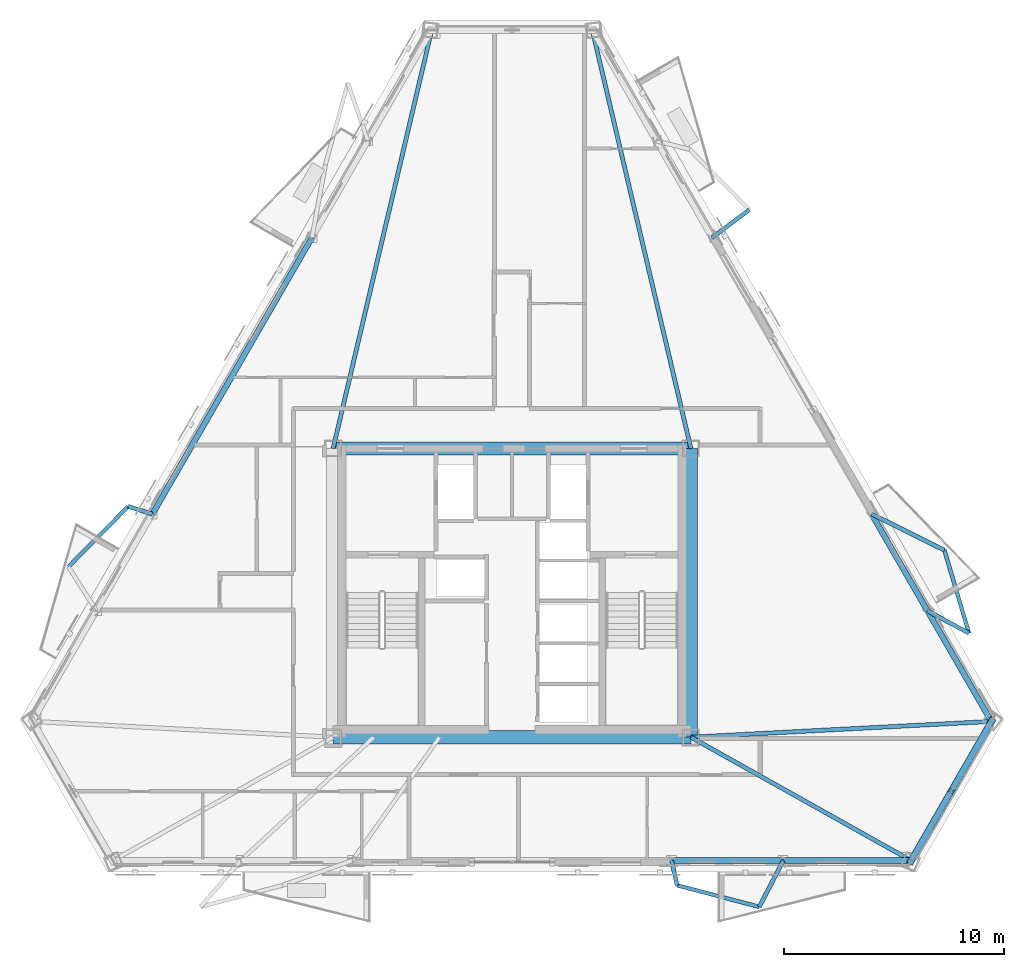
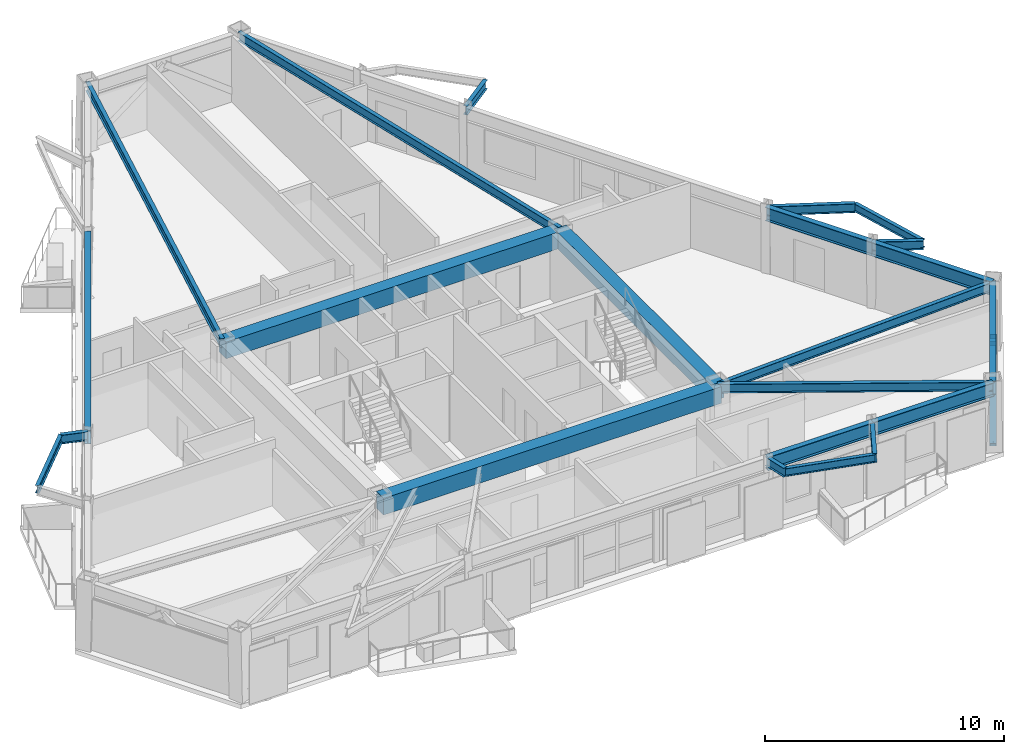
# One storey, part 3 of 13: 22 beams, 2 members.
"""IFC4 building model written with IfcOpenShell, lengths in metres."""

import ifcopenshell
import ifcopenshell.guid

model = None  # the IFC model being written
_history = None  # IfcOwnerHistory: only IFC2X3 demands one
_inside = {}  # id of a spatial element -> (the spatial element, [elements in it])
_under = {}  # id of a project, library or spatial element -> (it, [spatial elements below it])
_declared = {}  # id of a project -> (the project, [libraries it declares])
_typed = {}  # id of a type object -> (the type object, [elements of that type])
_made_of = {}  # id of a material, layer set ... -> (it, [elements and type objects made of it])


def new_model(schema):
    """Start an empty IFC model of exactly this schema.

    Asked for "IFC4X3", IfcOpenShell would pick the latest addendum, in which some entities
    have other attributes; the version numbers below select the first issue.
    IFC2X3 requires an IfcOwnerHistory on every rooted entity: one is made here for all.
    """
    global model, _history
    if schema == "IFC4X3":
        model = ifcopenshell.file(schema_version=(4, 3, 0, 0))
    else:
        model = ifcopenshell.file(schema=schema)
    _inside.clear()
    _under.clear()
    _declared.clear()
    _typed.clear()
    _made_of.clear()
    _history = None
    if model.schema == "IFC2X3":
        org = make("IfcOrganization", Name="unknown")
        user = make(
            "IfcPersonAndOrganization",
            ThePerson=make("IfcPerson", FamilyName="unknown"),
            TheOrganization=org,
        )
        app = make(
            "IfcApplication",
            ApplicationDeveloper=org,
            Version="unknown",
            ApplicationFullName="unknown",
            ApplicationIdentifier="unknown",
        )
        _history = make(
            "IfcOwnerHistory",
            OwningUser=user,
            OwningApplication=app,
            ChangeAction="ADDED",
            CreationDate=0,
        )
    return model


def make(cls, **values):
    """One entity of the class cls with the attributes given. An attribute that is None is left unset."""
    return model.create_entity(
        cls, **{name: value for name, value in values.items() if value is not None}
    )


def rooted(cls, **values):
    """An entity with a GlobalId (a new one), such as an element, a storey or a relation."""
    return make(cls, GlobalId=ifcopenshell.guid.new(), OwnerHistory=_history, **values)


def si_unit(unit_type, name, prefix=None):
    """IfcSIUnit, for example si_unit("LENGTHUNIT", "METRE", prefix="MILLI")."""
    return make("IfcSIUnit", UnitType=unit_type, Prefix=prefix, Name=name)


def assignment(units):
    """IfcUnitAssignment: the units of a project."""
    return None if units is None else make("IfcUnitAssignment", Units=units)


def point(xyz):
    """IfcCartesianPoint."""
    return None if xyz is None else make("IfcCartesianPoint", Coordinates=xyz)


def direction(xyz):
    """IfcDirection."""
    return None if xyz is None else make("IfcDirection", DirectionRatios=xyz)


def frame(location, z_axis=None, x_axis=None):
    """IfcAxis2Placement3D, a coordinate frame: its origin and axes. An axis left out is left unset."""
    return make(
        "IfcAxis2Placement3D",
        Location=point(location),
        Axis=direction(z_axis),
        RefDirection=direction(x_axis),
    )


def frame_2d(location, x_axis=None):
    """IfcAxis2Placement2D, a coordinate frame in the plane: its origin and x axis."""
    return make(
        "IfcAxis2Placement2D", Location=point(location), RefDirection=direction(x_axis)
    )


def origin():
    """The frame at (0, 0, 0) with its axes left unset."""
    return frame((0.0, 0.0, 0.0))


def origin_2d():
    """The frame at (0, 0) in the plane with its x axis left unset."""
    return frame_2d((0.0, 0.0))


def place(relative_to, where):
    """IfcLocalPlacement: puts the frame where relative to a parent placement (None: the world)."""
    return make(
        "IfcLocalPlacement", PlacementRelTo=relative_to, RelativePlacement=where
    )


def context(
    kind, dimensions, precision=None, world=None, true_north=None, identifier=None
):
    """IfcGeometricRepresentationContext, for example the 3D "Model" context."""
    return make(
        "IfcGeometricRepresentationContext",
        ContextIdentifier=identifier,
        ContextType=kind,
        CoordinateSpaceDimension=dimensions,
        Precision=precision,
        WorldCoordinateSystem=world,
        TrueNorth=true_north,
    )


def subcontext(parent, identifier, kind, view, scale=None):
    """IfcGeometricRepresentationSubContext, for example "Body" below "Model"."""
    return make(
        "IfcGeometricRepresentationSubContext",
        ContextIdentifier=identifier,
        ContextType=kind,
        ParentContext=parent,
        TargetScale=scale,
        TargetView=view,
    )


def project(units=None, contexts=None):
    """IfcProject with its units and contexts."""
    return rooted(
        "IfcProject",
        Name="project",
        RepresentationContexts=contexts,
        UnitsInContext=assignment(units),
    )


def spatial(cls, under=None, at=None, **own):
    """A site, building, storey or space (cls), placed at a placement, below another one or the project."""
    s = rooted(cls, ObjectPlacement=at, **own)
    if under is not None:
        _under.setdefault(under.id(), (under, []))[1].append(s)
    return s


def profile(cls, at=None, kind="AREA", **sizes):
    """A parametric profile (cls). Its sizes go by their IFC names, for example OverallWidth=200.0."""
    return make(cls, ProfileType=kind, Position=at, **sizes)


def rectangle(**sizes):
    """IfcRectangleProfileDef."""
    return profile("IfcRectangleProfileDef", **sizes)


def hollow_rectangle(**sizes):
    """IfcRectangleHollowProfileDef."""
    return profile("IfcRectangleHollowProfileDef", **sizes)


def i_section(**sizes):
    """IfcIShapeProfileDef."""
    return profile("IfcIShapeProfileDef", **sizes)


def extrude(swept, where, along, depth):
    """IfcExtrudedAreaSolid: the profile swept, set in the frame where, extruded along a direction by depth."""
    return make(
        "IfcExtrudedAreaSolid",
        SweptArea=swept,
        Position=where,
        ExtrudedDirection=direction(along),
        Depth=depth,
    )


def shape(context_of_items, identifier, shape_type, items):
    """IfcShapeRepresentation: the items that make up one representation, for example the "Body"."""
    return make(
        "IfcShapeRepresentation",
        ContextOfItems=context_of_items,
        RepresentationIdentifier=identifier,
        RepresentationType=shape_type,
        Items=items,
    )


def material(Name=None, Category=None):
    """IfcMaterial."""
    return make("IfcMaterial", Name=Name, Category=Category)


def material_profile(
    of_material, cross_section, Name=None, Category=None, Priority=None
):
    """IfcMaterialProfile: a cross section and its material."""
    return make(
        "IfcMaterialProfile",
        Name=Name,
        Material=of_material,
        Profile=cross_section,
        Priority=Priority,
        Category=Category,
    )


def profile_set(profiles, Name=None, composite=None):
    """IfcMaterialProfileSet."""
    return make(
        "IfcMaterialProfileSet",
        Name=Name,
        MaterialProfiles=profiles,
        CompositeProfile=composite,
    )


def made_of(thing, what):
    """Note that an element or type object is made of a material, layer set ...; save() writes the relation."""
    if what is not None:
        _made_of.setdefault(what.id(), (what, []))[1].append(thing)
    return thing


def type_object(cls, material=None, **own):
    """A type object (cls), such as IfcWallType, which elements share."""
    return made_of(rooted(cls, **own), material)


def element(
    cls,
    number,
    at=None,
    inside=None,
    cuts=None,
    type_object=None,
    material=None,
    context=None,
    identifier="Body",
    shape_type=None,
    held_by="IfcProductDefinitionShape",
    body=None,
    shapes=None,
    **own,
):
    """One element of the class cls, such as IfcWall. Its Tag is "e" and its number.

    at: its placement. inside: the storey or other place that contains it. cuts: it is an
    opening in that element (IfcRelVoidsElement). A single representation is given by context,
    identifier, shape_type and body (its items); several are given by shapes. held_by: the class
    of the entity that holds the representations. save() writes the other relations.
    """
    e = rooted(cls, Tag="e%d" % number, ObjectPlacement=at, **own)
    if body is not None:
        shapes = [shape(context, identifier, shape_type, body)]
    if shapes is not None:
        e.Representation = make(held_by, Representations=shapes)
    if inside is not None:
        _inside.setdefault(inside.id(), (inside, []))[1].append(e)
    if cuts is not None:
        rooted(
            "IfcRelVoidsElement", RelatingBuildingElement=cuts, RelatedOpeningElement=e
        )
    if type_object is not None:
        _typed.setdefault(type_object.id(), (type_object, []))[1].append(e)
    return made_of(e, material)


def aggregate(whole, parts):
    """IfcRelAggregates: a whole, such as a stair, and the parts it consists of."""
    return rooted("IfcRelAggregates", RelatingObject=whole, RelatedObjects=parts)


def save(model, path):
    """Write the relations noted so far, then the file.

    IfcRelAggregates (storeys below a building ...), IfcRelContainedInSpatialStructure (elements
    in a storey), IfcRelDefinesByType, IfcRelAssociatesMaterial and IfcRelDeclares: one each for
    every whole, place, type object, material and project.
    """
    for whole, parts in _under.values():
        aggregate(whole, parts)
    for where, things in _inside.values():
        rooted(
            "IfcRelContainedInSpatialStructure",
            RelatedElements=things,
            RelatingStructure=where,
        )
    for kind, things in _typed.values():
        rooted("IfcRelDefinesByType", RelatedObjects=things, RelatingType=kind)
    for what, things in _made_of.values():
        rooted("IfcRelAssociatesMaterial", RelatedObjects=things, RelatingMaterial=what)
    for by, libraries in _declared.values():
        rooted("IfcRelDeclares", RelatingContext=by, RelatedDefinitions=libraries)
    model.write(path)


model = new_model("IFC4")

# Units and contexts
model_context = context("Model", 3, precision=1e-05, world=origin(), true_north=direction((0.0, 1.0)))
body_context = subcontext(model_context, "Body", "Model", "MODEL_VIEW")
ifc_project = project(units=[si_unit("LENGTHUNIT", "METRE"), si_unit("AREAUNIT", "SQUARE_METRE"), si_unit("VOLUMEUNIT", "CUBIC_METRE"), si_unit("PLANEANGLEUNIT", "RADIAN"), si_unit("MASSUNIT", "GRAM", prefix="KILO")], contexts=[model_context])

# Site, building, storey
site_placement = place(None, origin())
site = spatial("IfcSite", under=ifc_project, at=site_placement, CompositionType="ELEMENT")
building_placement = place(site_placement, origin())
building = spatial("IfcBuilding", under=site, at=building_placement, Name="Oramaril Tower", CompositionType="ELEMENT")
storey_placement = place(building_placement, frame((0.0, 0.0, 197.39990234375)))
storey = spatial("IfcBuildingStorey", under=building, at=storey_placement, Name="L52", CompositionType="ELEMENT", Elevation=197.39990234375)

# Beams
ifc_material_1 = material(Name="Steel ASTM A572 Gr 50", Category="steel")
ifc_material_profile_1 = material_profile(ifc_material_1, i_section(OverallWidth=0.19091796875, OverallDepth=0.45703125, WebThickness=0.009033203125, FlangeThickness=0.014404296875, at=origin_2d()), Name="W18X50")
ifc_profile_set_1 = profile_set([ifc_material_profile_1], Name="Steel ASTM A572 Gr 50")
beam_type_1 = type_object("IfcBeamType", Name="BT-BB1", PredefinedType="BEAM", material=ifc_profile_set_1)
beam_1_placement = place(storey_placement, frame((45.64990234375, 11.0, 3.151611328125), z_axis=(0.87232448016, -0.488927398817, 0.0), x_axis=(0.488927398817, 0.87232448016, 0.0)))
element("IfcBeam", 1, at=beam_1_placement, inside=storey, type_object=beam_type_1, Name="L52 Radial Primary Beam RB-03", PredefinedType="BEAM", context=body_context, shape_type="SweptSolid", body=[
    extrude(i_section(OverallWidth=0.19091796875, OverallDepth=0.45703125, WebThickness=0.009033203125, FlangeThickness=0.014404296875, at=origin_2d()), origin(), (0.0, 0.0, 1.0), 11.493408203125),
])
beam_2_placement = place(storey_placement, frame((45.64990234375, 11.0, 3.151611328125), z_axis=(0.998623679468, 0.052447562436, 0.0), x_axis=(-0.052447562436, 0.998623679468, 0.0)))
element("IfcBeam", 2, at=beam_2_placement, inside=storey, type_object=beam_type_1, Name="L52 Radial Primary Beam RB-04", PredefinedType="BEAM", context=body_context, shape_type="SweptSolid", body=[
    extrude(i_section(OverallWidth=0.19091796875, OverallDepth=0.45703125, WebThickness=0.009033203125, FlangeThickness=0.014404296875, at=origin_2d()), origin(), (0.0, 0.0, 1.0), 13.7041015625),
])
for number, where, z_axis, x_axis, name in (
    (3, (45.64990234375, 24.14990234375, 3.151611328125), (-0.229438386123, 0.973323187319, 0.0), (-0.973323187319, -0.229438386123, 0.0), "L52 Radial Primary Beam RB-05"),
    (4, (29.35009765625, 24.14990234375, 3.151611328125), (0.229438386123, 0.973323187319, 0.0), (-0.973323187319, 0.229438386123, 0.0), "L52 Radial Primary Beam RB-06"),
):
    element("IfcBeam", number, at=place(storey_placement, frame(where, z_axis=z_axis, x_axis=x_axis)), inside=storey, type_object=beam_type_1, Name=name, PredefinedType="BEAM", context=body_context, shape_type="SweptSolid", body=[
        extrude(i_section(OverallWidth=0.19091796875, OverallDepth=0.45703125, WebThickness=0.009033203125, FlangeThickness=0.014404296875, at=origin_2d()), origin(), (0.0, 0.0, 1.0), 19.57275390625),
    ])
beam_3_placement = place(storey_placement, frame((44.7705078125, 5.380615234375, 3.151611328125), z_axis=(0.215587493125, -0.976484527685, 0.0), x_axis=(0.976484527685, 0.215587493125, 0.0)))
element("IfcBeam", 5, at=beam_3_placement, inside=storey, type_object=beam_type_1, Name="L52 Balcony Column-Framed Cantilever 02.1", PredefinedType="BEAM", context=body_context, shape_type="SweptSolid", body=[
    extrude(i_section(OverallWidth=0.19091796875, OverallDepth=0.45703125, WebThickness=0.009033203125, FlangeThickness=0.014404296875, at=origin_2d()), origin(), (0.0, 0.0, 1.0), 1.155029296875),
])
beam_4_placement = place(storey_placement, frame((49.859619140625, 5.380615234375, 3.151611328125), z_axis=(-0.461378619804, -0.887203341511, 0.0), x_axis=(0.887203341511, -0.461378619804, 0.0)))
element("IfcBeam", 6, at=beam_4_placement, inside=storey, type_object=beam_type_1, Name="L52 Balcony Column-Framed Cantilever 02.2", PredefinedType="BEAM", context=body_context, shape_type="SweptSolid", body=[
    extrude(i_section(OverallWidth=0.19091796875, OverallDepth=0.45703125, WebThickness=0.009033203125, FlangeThickness=0.014404296875, at=origin_2d()), origin(), (0.0, 0.0, 1.0), 2.3759765625),
])
beam_5_placement = place(storey_placement, frame((56.427001953125, 16.755859375, 3.151611328125), z_axis=(0.880233872432, -0.474540124567, 0.0), x_axis=(0.474540124567, 0.880233872432, 0.0)))
element("IfcBeam", 7, at=beam_5_placement, inside=storey, type_object=beam_type_1, Name="L52 Balcony Column-Framed Cantilever 03.1", PredefinedType="BEAM", context=body_context, shape_type="SweptSolid", body=[
    extrude(i_section(OverallWidth=0.19091796875, OverallDepth=0.45703125, WebThickness=0.009033203125, FlangeThickness=0.014404296875, at=origin_2d()), origin(), (0.0, 0.0, 1.0), 2.14892578125),
])
beam_6_placement = place(storey_placement, frame((53.882568359375, 21.163330078125, 3.151611328125), z_axis=(0.895624907086, -0.444810100837, 0.0), x_axis=(0.444810100837, 0.895624907086, 0.0)))
element("IfcBeam", 8, at=beam_6_placement, inside=storey, type_object=beam_type_1, Name="L52 Balcony Column-Framed Cantilever 03.2", PredefinedType="BEAM", context=body_context, shape_type="SweptSolid", body=[
    extrude(i_section(OverallWidth=0.19091796875, OverallDepth=0.45703125, WebThickness=0.009033203125, FlangeThickness=0.014404296875, at=origin_2d()), origin(), (0.0, 0.0, 1.0), 3.699951171875),
])
beam_7_placement = place(storey_placement, frame((46.612060546875, 33.756103515625, 3.151611328125), z_axis=(0.801336828648, 0.598213412631, 0.0), x_axis=(-0.598213412631, 0.801336828648, 0.0)))
element("IfcBeam", 9, at=beam_7_placement, inside=storey, type_object=beam_type_1, Name="L52 Balcony Column-Framed Cantilever 04.1", PredefinedType="BEAM", context=body_context, shape_type="SweptSolid", body=[
    extrude(i_section(OverallWidth=0.19091796875, OverallDepth=0.45703125, WebThickness=0.009033203125, FlangeThickness=0.014404296875, at=origin_2d()), origin(), (0.0, 0.0, 1.0), 2.12255859375),
])
beam_8_placement = place(storey_placement, frame((21.117431640625, 21.163330078125, 3.151611328125), z_axis=(-0.953493176529, 0.301414602024, 0.0), x_axis=(-0.301414602024, -0.953493176529, 0.0)))
element("IfcBeam", 10, at=beam_8_placement, inside=storey, type_object=beam_type_1, Name="L52 Balcony Column-Framed Cantilever 06.1", PredefinedType="BEAM", context=body_context, shape_type="SweptSolid", body=[
    extrude(i_section(OverallWidth=0.19091796875, OverallDepth=0.45703125, WebThickness=0.009033203125, FlangeThickness=0.014404296875, at=origin_2d()), origin(), (0.0, 0.0, 1.0), 1.155029296875),
])
ifc_material_2 = material(Name="Concrete C50/60", Category="concrete")
ifc_material_profile_2 = material_profile(ifc_material_2, rectangle(XDim=0.60009765625, YDim=0.85009765625, at=origin_2d()), Name="CB600X850")
ifc_profile_set_2 = profile_set([ifc_material_profile_2], Name="Concrete C50/60")
beam_type_2 = type_object("IfcBeamType", Name="BT-CB2", PredefinedType="BEAM", material=ifc_profile_set_2)
beam_9_placement = place(storey_placement, frame((29.35009765625, 11.0, 2.955078125), z_axis=(1.0, 0.0, 0.0), x_axis=(0.0, 1.0, 0.0)))
element("IfcBeam", 11, at=beam_9_placement, inside=storey, type_object=beam_type_2, Name="L52 Core Header Beam CB-1", PredefinedType="BEAM", context=body_context, shape_type="SweptSolid", body=[
    extrude(rectangle(XDim=0.60009765625, YDim=0.85009765625, at=origin_2d()), origin(), (0.0, 0.0, 1.0), 16.2998046875),
])
beam_10_placement = place(storey_placement, frame((45.64990234375, 11.0, 2.955078125), z_axis=(0.0, 1.0, 0.0), x_axis=(-1.0, 0.0, 0.0)))
element("IfcBeam", 12, at=beam_10_placement, inside=storey, type_object=beam_type_2, Name="L52 Core Header Beam CB-2", PredefinedType="BEAM", context=body_context, shape_type="SweptSolid", body=[
    extrude(rectangle(XDim=0.60009765625, YDim=0.85009765625, at=origin_2d()), origin(), (0.0, 0.0, 1.0), 13.14990234375),
])
beam_11_placement = place(storey_placement, frame((45.64990234375, 24.14990234375, 2.955078125), z_axis=(-1.0, 0.0, 0.0), x_axis=(0.0, -1.0, 0.0)))
element("IfcBeam", 13, at=beam_11_placement, inside=storey, type_object=beam_type_2, Name="L52 Core Header Beam CB-3", PredefinedType="BEAM", context=body_context, shape_type="SweptSolid", body=[
    extrude(rectangle(XDim=0.60009765625, YDim=0.85009765625, at=origin_2d()), origin(), (0.0, 0.0, 1.0), 16.2998046875),
])
ifc_material_3 = material(Name="Steel ASTM A572 Gr 50", Category="steel")
ifc_material_profile_3 = material_profile(ifc_material_3, i_section(OverallWidth=0.177978515625, OverallDepth=0.404052734375, WebThickness=0.007568359375, FlangeThickness=0.010986328125, at=origin_2d()), Name="W16X36")
ifc_profile_set_3 = profile_set([ifc_material_profile_3], Name="Steel ASTM A572 Gr 50")
beam_type_3 = type_object("IfcBeamType", Name="BT-SB1", PredefinedType="BEAM", material=ifc_profile_set_3)
beam_12_placement = place(storey_placement, frame((45.01953125, 4.252685546875, 3.177978515625), z_axis=(0.967407922874, -0.253223045479, 0.0), x_axis=(0.253223045479, 0.967407922874, 0.0)))
element("IfcBeam", 14, at=beam_12_placement, inside=storey, type_object=beam_type_3, Name="L52 Balcony Edge Tie Beam 02", PredefinedType="BEAM", context=body_context, shape_type="SweptSolid", body=[
    extrude(i_section(OverallWidth=0.177978515625, OverallDepth=0.404052734375, WebThickness=0.007568359375, FlangeThickness=0.010986328125, at=origin_2d()), origin(), (0.0, 0.0, 1.0), 3.8701171875),
])
beam_13_placement = place(storey_placement, frame((58.318603515625, 15.736083984375, 3.177978515625), z_axis=(-0.284524520837, 0.958668762943, 0.0), x_axis=(-0.958668762943, -0.284524520837, 0.0)))
element("IfcBeam", 15, at=beam_13_placement, inside=storey, type_object=beam_type_3, Name="L52 Balcony Edge Tie Beam 03", PredefinedType="BEAM", context=body_context, shape_type="SweptSolid", body=[
    extrude(i_section(OverallWidth=0.177978515625, OverallDepth=0.404052734375, WebThickness=0.007568359375, FlangeThickness=0.010986328125, at=origin_2d()), origin(), (0.0, 0.0, 1.0), 3.944580078125),
])
beam_14_placement = place(storey_placement, frame((20.01611328125, 21.511474609375, 3.177978515625), z_axis=(-0.702994511648, -0.71119527318, 0.0), x_axis=(0.71119527318, -0.702994511648, 0.0)))
element("IfcBeam", 16, at=beam_14_placement, inside=storey, type_object=beam_type_3, Name="L52 Balcony Edge Tie Beam 06", PredefinedType="BEAM", context=body_context, shape_type="SweptSolid", body=[
    extrude(i_section(OverallWidth=0.177978515625, OverallDepth=0.404052734375, WebThickness=0.007568359375, FlangeThickness=0.010986328125, at=origin_2d()), origin(), (0.0, 0.0, 1.0), 3.8701171875),
])
ifc_material_4 = material(Name="Steel ASTM A572 Gr 50", Category="steel")
ifc_material_profile_4 = material_profile(ifc_material_4, i_section(OverallWidth=0.257080078125, OverallDepth=0.693115234375, WebThickness=0.014404296875, FlangeThickness=0.023681640625, at=origin_2d()), Name="W27X114")
ifc_profile_set_4 = profile_set([ifc_material_profile_4], Name="Steel ASTM A572 Gr 50")
beam_type_4 = type_object("IfcBeamType", Name="BT-SP4", PredefinedType="SPANDREL", material=ifc_profile_set_4)
beam_15_placement = place(storey_placement, frame((44.7705078125, 5.380615234375, 3.03369140625), z_axis=(1.0, 0.0, 0.0), x_axis=(0.0, 1.0, 0.0)))
element("IfcBeam", 17, at=beam_15_placement, inside=storey, type_object=beam_type_4, Name="L52 Perimeter Spandrel 05", PredefinedType="SPANDREL", context=body_context, shape_type="SweptSolid", body=[
    extrude(i_section(OverallWidth=0.257080078125, OverallDepth=0.693115234375, WebThickness=0.014404296875, FlangeThickness=0.023681640625, at=origin_2d()), origin(), (0.0, 0.0, 1.0), 5.089111328125),
])
beam_16_placement = place(storey_placement, frame((49.859619140625, 5.380615234375, 3.03369140625), z_axis=(1.0, 0.0, 0.0), x_axis=(0.0, 1.0, 0.0)))
element("IfcBeam", 18, at=beam_16_placement, inside=storey, type_object=beam_type_4, Name="L52 Perimeter Spandrel 06", PredefinedType="SPANDREL", context=body_context, shape_type="SweptSolid", body=[
    extrude(i_section(OverallWidth=0.257080078125, OverallDepth=0.693115234375, WebThickness=0.014404296875, FlangeThickness=0.023681640625, at=origin_2d()), origin(), (0.0, 0.0, 1.0), 5.816162109375),
])
beam_17_placement = place(storey_placement, frame((55.67578125, 5.380615234375, 3.03369140625), z_axis=(0.50001024923, 0.866019486308, 0.0), x_axis=(-0.866019486308, 0.50001024923, 0.0)))
element("IfcBeam", 19, at=beam_17_placement, inside=storey, type_object=beam_type_4, Name="L52 Perimeter Spandrel 07", PredefinedType="SPANDREL", context=body_context, shape_type="SweptSolid", body=[
    extrude(i_section(OverallWidth=0.257080078125, OverallDepth=0.693115234375, WebThickness=0.014404296875, FlangeThickness=0.023681640625, at=origin_2d()), origin(), (0.0, 0.0, 1.0), 7.318603515625),
])
beam_18_placement = place(storey_placement, frame((59.335205078125, 11.71875, 3.03369140625), z_axis=(-0.50000343918, 0.866023418164, 0.0), x_axis=(-0.866023418164, -0.50000343918, 0.0)))
element("IfcBeam", 20, at=beam_18_placement, inside=storey, type_object=beam_type_4, Name="L52 Perimeter Spandrel 08", PredefinedType="SPANDREL", context=body_context, shape_type="SweptSolid", body=[
    extrude(i_section(OverallWidth=0.257080078125, OverallDepth=0.693115234375, WebThickness=0.014404296875, FlangeThickness=0.023681640625, at=origin_2d()), origin(), (0.0, 0.0, 1.0), 5.81640625),
])
beam_19_placement = place(storey_placement, frame((56.427001953125, 16.755859375, 3.03369140625), z_axis=(-0.499967459678, 0.866044190133, 0.0), x_axis=(-0.866044190133, -0.499967459678, 0.0)))
element("IfcBeam", 21, at=beam_19_placement, inside=storey, type_object=beam_type_4, Name="L52 Perimeter Spandrel 09", PredefinedType="SPANDREL", context=body_context, shape_type="SweptSolid", body=[
    extrude(i_section(OverallWidth=0.257080078125, OverallDepth=0.693115234375, WebThickness=0.014404296875, FlangeThickness=0.023681640625, at=origin_2d()), origin(), (0.0, 0.0, 1.0), 5.089111328125),
])
beam_20_placement = place(storey_placement, frame((28.387939453125, 33.756103515625, 3.03369140625), z_axis=(-0.50000343918, -0.866023418164, 0.0), x_axis=(0.866023418164, -0.50000343918, 0.0)))
element("IfcBeam", 22, at=beam_20_placement, inside=storey, type_object=beam_type_4, Name="L52 Perimeter Spandrel 16", PredefinedType="SPANDREL", context=body_context, shape_type="SweptSolid", body=[
    extrude(i_section(OverallWidth=0.257080078125, OverallDepth=0.693115234375, WebThickness=0.014404296875, FlangeThickness=0.023681640625, at=origin_2d()), origin(), (0.0, 0.0, 1.0), 14.541015625),
])

# Members
ifc_material_5 = material(Name="Steel ASTM A572 Gr 50", Category="steel")
ifc_material_profile_5 = material_profile(ifc_material_5, hollow_rectangle(XDim=0.300048828125, YDim=0.300048828125, WallThickness=0.01611328125, at=origin_2d()), Name="HSS300X300X16")
ifc_profile_set_5 = profile_set([ifc_material_profile_5], Name="Steel ASTM A572 Gr 50")
member_type = type_object("IfcMemberType", Name="MT-KB2", PredefinedType="BRACE", material=ifc_profile_set_5)
for number, where, z_axis, x_axis, name in (
    (23, (55.646728515625, 5.3115234375, 0.18017578125), (0.397271691623, 0.68809514261, 0.607206948043), (-0.866025525965, 0.499999788377, 0.0), "L52 Perimeter Chevron Brace KB-2A"),
    (24, (59.380615234375, 11.77880859375, 0.18017578125), (-0.397271691623, -0.68809514261, 0.607206948043), (0.866025525965, -0.499999788377, 0.0), "L52 Perimeter Chevron Brace KB-2B"),
):
    element("IfcMember", number, at=place(storey_placement, frame(where, z_axis=z_axis, x_axis=x_axis)), inside=storey, type_object=member_type, Name=name, PredefinedType="BRACE", context=body_context, shape_type="SweptSolid", body=[
        extrude(hollow_rectangle(XDim=0.300048828125, YDim=0.300048828125, WallThickness=0.01611328125, at=origin_2d()), origin(), (0.0, 0.0, 1.0), 4.699462890625),
    ])

save(model, "model.ifc")
